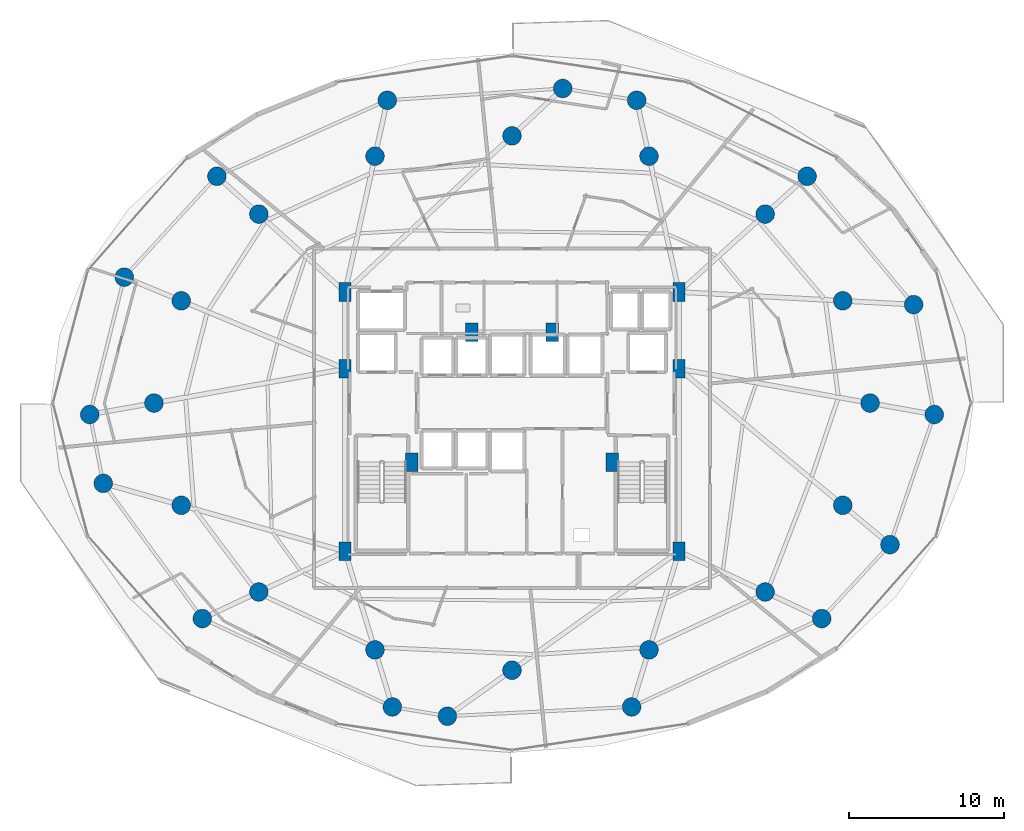
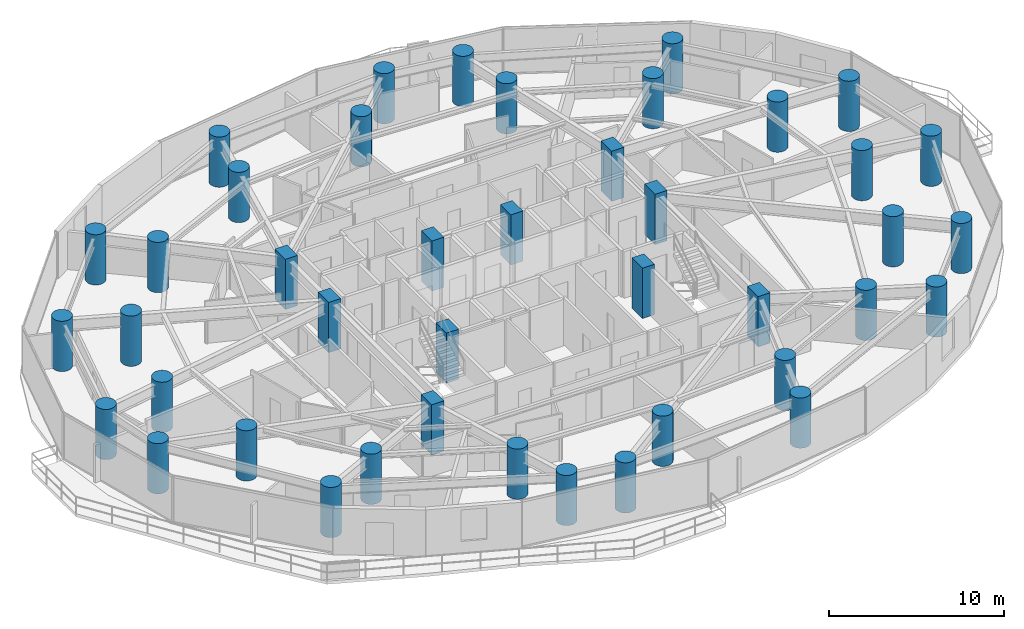
# One storey, part 1 of 30: 42 columns.
"""IFC4 building model written with IfcOpenShell, lengths in metres."""

from ifc_helpers import new_model, si_unit, direction, frame, origin, origin_2d, place, context, subcontext, project, spatial, rectangle, circle, extrude, material, material_profile, profile_set, type_object, element, save


model = new_model("IFC4")

# Units and contexts
model_context = context("Model", 3, precision=1e-05, world=origin(), true_north=direction((0.0, 1.0)))
body_context = subcontext(model_context, "Body", "Model", "MODEL_VIEW")
ifc_project = project(units=[si_unit("LENGTHUNIT", "METRE"), si_unit("AREAUNIT", "SQUARE_METRE"), si_unit("VOLUMEUNIT", "CUBIC_METRE"), si_unit("PLANEANGLEUNIT", "RADIAN"), si_unit("MASSUNIT", "GRAM", prefix="KILO")], contexts=[model_context])

# Site, building, storey
site_placement = place(None, origin())
site = spatial("IfcSite", under=ifc_project, at=site_placement, CompositionType="ELEMENT")
building_placement = place(site_placement, origin())
building = spatial("IfcBuilding", under=site, at=building_placement, Name="Vorneva Point Tower", CompositionType="ELEMENT")
storey_placement = place(building_placement, frame((0.0, 0.0, 55.5)))
storey = spatial("IfcBuildingStorey", under=building, at=storey_placement, Name="L14", CompositionType="ELEMENT", Elevation=55.5)

# Columns
ifc_material = material(Name="Concrete B60 (C50/60)", Category="concrete")
ifc_material_profile_1 = material_profile(ifc_material, circle(Radius=0.60009765625, at=origin_2d()), Name="RC-CIRC 1200")
ifc_profile_set_1 = profile_set([ifc_material_profile_1], Name="Concrete B60 (C50/60)")
column_type_1 = type_object("IfcColumnType", Name="COL-RC1200C", PredefinedType="COLUMN", material=ifc_profile_set_1)
for number, where, z_axis, x_axis, name in (
    (1, (61.050048828125, 26.0, 0.0), (0.0, 0.0, 1.0), (1.0, 0.0, 0.0), "L14 Perimeter Column P01"),
    (2, (59.29541015625, 32.582275390625, 0.0), (0.0, 0.0, 1.0), (0.923879532511, 0.382683432365, 0.0), "L14 Perimeter Column P02"),
    (3, (54.298828125, 38.162109375, 0.0), (0.0, 0.0, 1.0), (0.707106781187, 0.707106781187, 0.0), "L14 Perimeter Column P03"),
    (4, (46.82080078125, 41.890625, 0.0), (0.0, 0.0, 1.0), (0.382683432365, 0.923879532511, 0.0), "L14 Perimeter Column P04"),
    (5, (38.0, 43.199951171875, 0.0), (0.0, 0.0, 1.0), (0.0, 1.0, 0.0), "L14 Perimeter Column P05"),
    (6, (29.17919921875, 41.890625, 0.0), (0.0, 0.0, 1.0), (-0.382683432365, 0.923879532511, 0.0), "L14 Perimeter Column P06"),
    (7, (21.701171875, 38.162109375, 0.0), (0.0, 0.0, 1.0), (-0.707106781187, 0.707106781187, 0.0), "L14 Perimeter Column P07"),
    (8, (16.70458984375, 32.582275390625, 0.0), (0.0, 0.0, 1.0), (-0.923879532511, 0.382683432365, 0.0), "L14 Perimeter Column P08"),
    (9, (14.949951171875, 26.0, 0.0), (0.0, 0.0, 1.0), (-1.0, 0.0, 0.0), "L14 Perimeter Column P09"),
    (10, (16.70458984375, 19.417724609375, 0.0), (0.0, 0.0, 1.0), (-0.923879532511, -0.382683432365, 0.0), "L14 Perimeter Column P10"),
    (11, (21.701171875, 13.837890625, 0.0), (0.0, 0.0, 1.0), (-0.707106781187, -0.707106781187, 0.0), "L14 Perimeter Column P11"),
    (12, (29.17919921875, 10.109375, 0.0), (0.0, 0.0, 1.0), (-0.382683432365, -0.923879532511, 0.0), "L14 Perimeter Column P12"),
    (13, (38.0, 8.800048828125, 0.0), (0.0, 0.0, 1.0), (0.0, -1.0, 0.0), "L14 Perimeter Column P13"),
    (14, (46.82080078125, 10.109375, 0.0), (0.0, 0.0, 1.0), (0.382683432365, -0.923879532511, 0.0), "L14 Perimeter Column P14"),
    (15, (54.298828125, 13.837890625, 0.0), (0.0, 0.0, 1.0), (0.707106781187, -0.707106781187, 0.0), "L14 Perimeter Column P15"),
    (16, (59.29541015625, 19.417724609375, 0.0), (0.0, 0.0, 1.0), (0.923879532511, -0.382683432365, 0.0), "L14 Perimeter Column P16"),
    (17, (65.18212890625, 25.260986328125, 0.0), (0.0, 0.0, 1.0), (1.0, 0.0, 0.0), "L14 Outer Zone Column OP01"),
    (18, (63.8544921875, 32.336669921875, 0.0), (0.0, 0.0, 1.0), (0.923879532511, 0.382683432365, 0.0), "L14 Outer Zone Column OP02"),
    (19, (56.997314453125, 40.599853515625, 0.0), (0.0, 0.0, 1.0), (0.707106781187, 0.707106781187, 0.0), "L14 Outer Zone Column OP03"),
    (20, (46.026123046875, 45.49169921875, 0.0), (0.0, 0.0, 1.0), (0.382683432365, 0.923879532511, 0.0), "L14 Outer Zone Column OP04"),
    (21, (41.26513671875, 46.25244140625, 0.0), (0.0, 0.0, 1.0), (0.0, 1.0, 0.0), "L14 Outer Zone Column OP05"),
    (22, (29.973876953125, 45.49169921875, 0.0), (0.0, 0.0, 1.0), (-0.382683432365, 0.923879532511, 0.0), "L14 Outer Zone Column OP06"),
    (23, (19.002685546875, 40.599853515625, 0.0), (0.0, 0.0, 1.0), (-0.707106781187, 0.707106781187, 0.0), "L14 Outer Zone Column OP07"),
    (24, (13.0390625, 34.10546875, 0.0), (0.0, 0.0, 1.0), (-0.923879532511, 0.382683432365, 0.0), "L14 Outer Zone Column OP08"),
    (25, (10.81787109375, 25.260986328125, 0.0), (0.0, 0.0, 1.0), (-1.0, 0.0, 0.0), "L14 Outer Zone Column OP09"),
    (26, (11.68798828125, 20.82958984375, 0.0), (0.0, 0.0, 1.0), (-0.923879532511, -0.382683432365, 0.0), "L14 Outer Zone Column OP10"),
    (27, (18.061279296875, 12.124267578125, 0.0), (0.0, 0.0, 1.0), (-0.707106781187, -0.707106781187, 0.0), "L14 Outer Zone Column OP11"),
    (28, (30.296875, 6.435302734375, 0.0), (0.0, 0.0, 1.0), (-0.382683432365, -0.923879532511, 0.0), "L14 Outer Zone Column OP12"),
    (29, (33.84033203125, 5.83984375, 0.0), (0.0, 0.0, 1.0), (0.0, -1.0, 0.0), "L14 Outer Zone Column OP13"),
    (30, (45.703125, 6.435302734375, 0.0), (0.0, 0.0, 1.0), (0.382683432365, -0.923879532511, 0.0), "L14 Outer Zone Column OP14"),
    (31, (57.938720703125, 12.124267578125, 0.0), (0.0, 0.0, 1.0), (0.707106781187, -0.707106781187, 0.0), "L14 Outer Zone Column OP15"),
    (32, (62.3349609375, 16.886474609375, 0.0), (0.0, 0.0, 1.0), (0.923879532511, -0.382683432365, 0.0), "L14 Outer Zone Column OP16"),
):
    element("IfcColumn", number, at=place(storey_placement, frame(where, z_axis=z_axis, x_axis=x_axis)), inside=storey, type_object=column_type_1, Name=name, PredefinedType="COLUMN", context=body_context, shape_type="SweptSolid", body=[
        extrude(circle(Radius=0.60009765625, at=origin_2d()), origin(), (0.0, 0.0, 1.0), 3.5),
    ])
ifc_material_profile_2 = material_profile(ifc_material, rectangle(XDim=0.800048828125, YDim=1.199951171875, at=origin_2d()), Name="RC-PIL 1200x800")
ifc_profile_set_2 = profile_set([ifc_material_profile_2], Name="Concrete B60 (C50/60)")
column_type_2 = type_object("IfcColumnType", Name="PIL-RC1200x800", PredefinedType="PILASTER", material=ifc_profile_set_2)
for number, where, z_axis, x_axis, name in (
    (33, (27.25, 16.449951171875, 0.0), (0.0, 0.0, 1.0), (1.0, 0.0, 0.0), "L14 Core Pilaster CP1"),
    (34, (27.25, 28.199951171875, 0.0), (0.0, 0.0, 1.0), (1.0, 0.0, 0.0), "L14 Core Pilaster CP2"),
    (35, (27.25, 33.14990234375, 0.0), (0.0, 0.0, 1.0), (1.0, 0.0, 0.0), "L14 Core Pilaster CP3"),
    (36, (31.550048828125, 22.199951171875, 0.0), (0.0, 0.0, 1.0), (1.0, 0.0, 0.0), "L14 Core Pilaster CP4"),
    (37, (48.75, 33.14990234375, 0.0), (0.0, 0.0, 1.0), (1.0, 0.0, 0.0), "L14 Core Pilaster CP5"),
    (38, (48.75, 28.199951171875, 0.0), (0.0, 0.0, 1.0), (1.0, 0.0, 0.0), "L14 Core Pilaster CP6"),
    (39, (48.75, 16.449951171875, 0.0), (0.0, 0.0, 1.0), (1.0, 0.0, 0.0), "L14 Core Pilaster CP7"),
    (40, (44.449951171875, 22.199951171875, 0.0), (0.0, 0.0, 1.0), (1.0, 0.0, 0.0), "L14 Core Pilaster CP8"),
    (41, (35.39990234375, 30.550048828125, 0.0), (0.0, 0.0, 1.0), (1.0, 0.0, 0.0), "L14 Core Pilaster CP9"),
    (42, (40.60009765625, 30.550048828125, 0.0), (0.0, 0.0, 1.0), (1.0, 0.0, 0.0), "L14 Core Pilaster CP10"),
):
    element("IfcColumn", number, at=place(storey_placement, frame(where, z_axis=z_axis, x_axis=x_axis)), inside=storey, type_object=column_type_2, Name=name, PredefinedType="PILASTER", context=body_context, shape_type="SweptSolid", body=[
        extrude(rectangle(XDim=0.800048828125, YDim=1.199951171875, at=origin_2d()), origin(), (0.0, 0.0, 1.0), 3.5),
    ])

save(model, "model.ifc")
